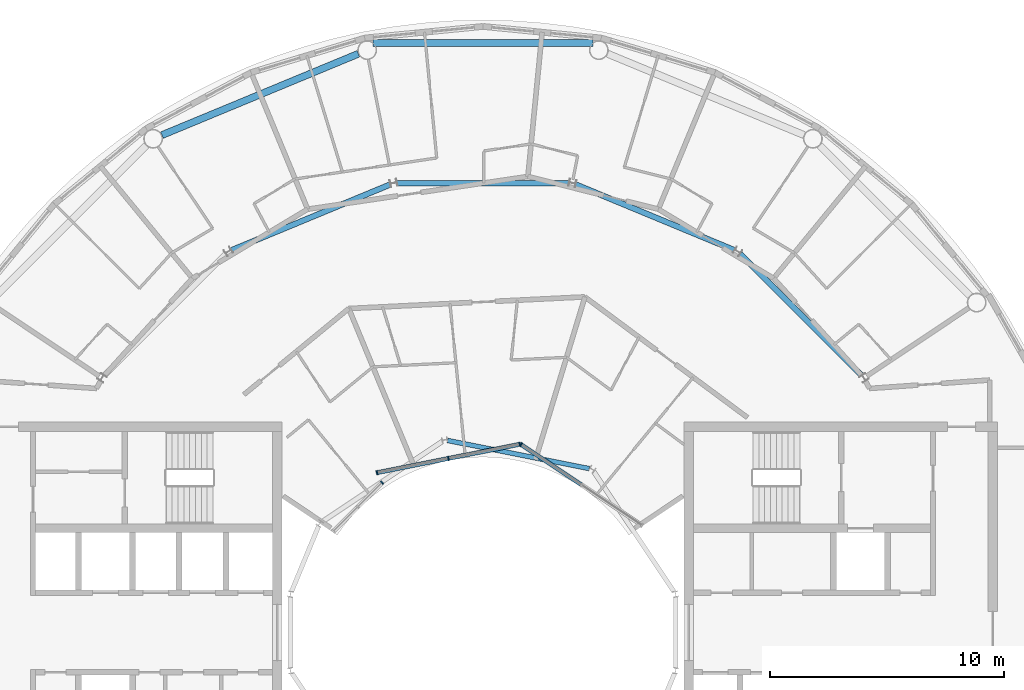
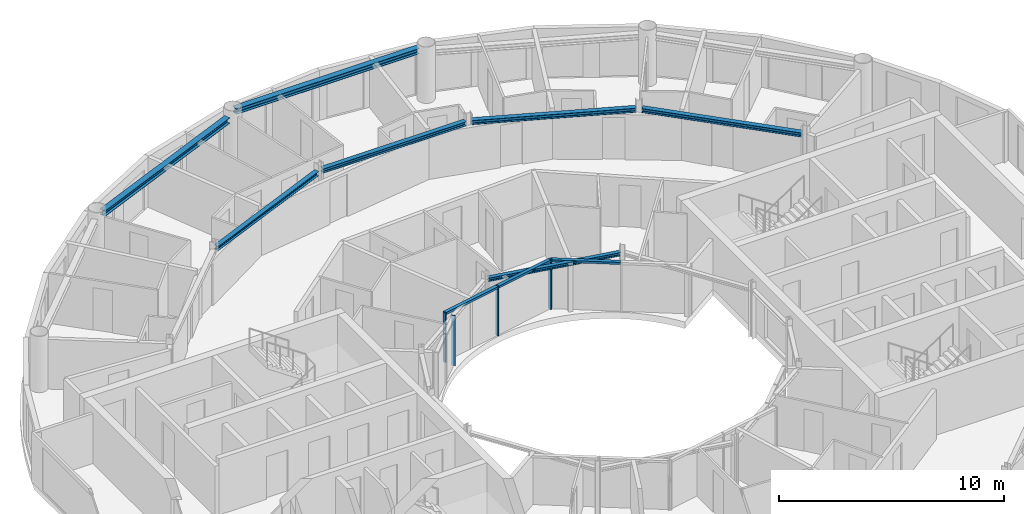
# One storey, part 9 of 22: 8 members, 7 beams, 3 elements without a shape of their own.
"""IFC4 building model written with IfcOpenShell, lengths in metres."""

from ifc_helpers import new_model, si_unit, direction, frame, origin, origin_2d, place, context, subcontext, project, spatial, rectangle, i_section, extrude, material, layer, layer_set, material_profile, profile_set, type_object, element, aggregate, save


model = new_model("IFC4")

# Units and contexts
model_context = context("Model", 3, precision=1e-05, world=origin(), true_north=direction((0.0, 1.0)))
body_context = subcontext(model_context, "Body", "Model", "MODEL_VIEW")
ifc_project = project(units=[si_unit("LENGTHUNIT", "METRE"), si_unit("AREAUNIT", "SQUARE_METRE"), si_unit("VOLUMEUNIT", "CUBIC_METRE"), si_unit("PLANEANGLEUNIT", "RADIAN"), si_unit("MASSUNIT", "GRAM", prefix="KILO")], contexts=[model_context])

# Site, building, storey
site_placement = place(None, origin())
site = spatial("IfcSite", under=ifc_project, at=site_placement, CompositionType="ELEMENT")
building_placement = place(site_placement, origin())
building = spatial("IfcBuilding", under=site, at=building_placement, Name="Maasbend Ring Residences", CompositionType="ELEMENT")
storey_placement = place(building_placement, frame((0.0, 0.0, 237.10009765625)))
storey = spatial("IfcBuildingStorey", under=building, at=storey_placement, Name="L68", CompositionType="ELEMENT", Elevation=237.10009765625)

# Curtain wall, member
ifc_material_1 = material(Name="Aluminium and clear glass", Category="aluminium")
ifc_layer = layer(ifc_material_1, 0.179931640625)
ifc_layer_set = layer_set([ifc_layer], Name="CW-W")
curtain_wall_type = type_object("IfcCurtainWallType", Name="CW-W", PredefinedType="NOTDEFINED", material=ifc_layer_set)
curtain_wall_1_placement = place(storey_placement, origin())
curtain_wall_1 = element("IfcCurtainWall", 1, at=curtain_wall_1_placement, inside=storey, type_object=curtain_wall_type, Name="Well curtain wall N1", PredefinedType="NOTDEFINED")
ifc_material_2 = material(Name="Aluminium 6063-T6", Category="aluminium")
ifc_material_profile_1 = material_profile(ifc_material_2, rectangle(XDim=0.179931640625, YDim=0.06005859375, at=origin_2d()), Name="AL 180x60")
ifc_profile_set_1 = profile_set([ifc_material_profile_1], Name="Aluminium 6063-T6")
member_type_1 = type_object("IfcMemberType", Name="CWM-W", PredefinedType="MULLION", material=ifc_profile_set_1)
member_1_placement = place(storey_placement, frame((1.627685546875, 8.040771484375, 0.0), z_axis=(0.0, 0.0, 1.0), x_axis=(-0.55557023302, -0.831469612303, 0.0)))
member_1 = element("IfcMember", 2, at=member_1_placement, type_object=member_type_1, Name="Mullion well face", PredefinedType="MULLION", context=body_context, shape_type="SweptSolid", body=[
    extrude(rectangle(XDim=0.179931640625, YDim=0.06005859375, at=origin_2d()), origin(), (0.0, 0.0, 1.0), 2.699951171875),
])

# Curtain wall, members
curtain_wall_2_placement = place(storey_placement, origin())
curtain_wall_2 = element("IfcCurtainWall", 3, at=curtain_wall_2_placement, inside=storey, type_object=curtain_wall_type, Name="Well curtain wall N2", PredefinedType="NOTDEFINED")
member_2_placement = place(storey_placement, frame((1.5732421875, 8.0517578125, 0.0), z_axis=(0.0, 0.0, 1.0), x_axis=(0.195090322016, -0.980785280403, 0.0)))
member_2 = element("IfcMember", 4, at=member_2_placement, type_object=member_type_1, Name="Mullion well face", PredefinedType="MULLION", context=body_context, shape_type="SweptSolid", body=[
    extrude(rectangle(XDim=0.179931640625, YDim=0.06005859375, at=origin_2d()), origin(), (0.0, 0.0, 1.0), 2.699951171875),
])
member_3_placement = place(storey_placement, frame((-1.480712890625, 7.444091796875, 0.0), z_axis=(0.0, 0.0, 1.0), x_axis=(0.195090322016, -0.980785280403, 0.0)))
member_3 = element("IfcMember", 5, at=member_3_placement, type_object=member_type_1, Name="Mullion well face", PredefinedType="MULLION", context=body_context, shape_type="SweptSolid", body=[
    extrude(rectangle(XDim=0.179931640625, YDim=0.06005859375, at=origin_2d()), origin(), (0.0, 0.0, 1.0), 2.699951171875),
])
member_4_placement = place(storey_placement, frame((-4.53466796875, 6.836669921875, 0.0), z_axis=(0.0, 0.0, 1.0), x_axis=(0.195090322016, -0.980785280403, 0.0)))
member_4 = element("IfcMember", 6, at=member_4_placement, type_object=member_type_1, Name="Mullion well face", PredefinedType="MULLION", context=body_context, shape_type="SweptSolid", body=[
    extrude(rectangle(XDim=0.179931640625, YDim=0.06005859375, at=origin_2d()), origin(), (0.0, 0.0, 1.0), 2.699951171875),
])

# Curtain wall, member
curtain_wall_3_placement = place(storey_placement, origin())
curtain_wall_3 = element("IfcCurtainWall", 7, at=curtain_wall_3_placement, inside=storey, type_object=curtain_wall_type, Name="Well curtain wall N3", PredefinedType="NOTDEFINED")
member_5_placement = place(storey_placement, frame((-4.320556640625, 6.413330078125, 0.0), z_axis=(0.0, 0.0, 1.0), x_axis=(0.707106781187, -0.707106781187, 0.0)))
member_5 = element("IfcMember", 8, at=member_5_placement, type_object=member_type_1, Name="Mullion well face", PredefinedType="MULLION", context=body_context, shape_type="SweptSolid", body=[
    extrude(rectangle(XDim=0.179931640625, YDim=0.06005859375, at=origin_2d()), origin(), (0.0, 0.0, 1.0), 2.699951171875),
])
aggregate(curtain_wall_3, [member_5])

# Member
ifc_material_3 = material(Name="Aluminium 6063-T6", Category="aluminium")
ifc_material_profile_2 = material_profile(ifc_material_3, rectangle(XDim=0.179931640625, YDim=0.1201171875, at=origin_2d()), Name="AL 180x120")
ifc_profile_set_2 = profile_set([ifc_material_profile_2], Name="Aluminium 6063-T6")
member_type_2 = type_object("IfcMemberType", Name="CWT-W", PredefinedType="USERDEFINED", material=ifc_profile_set_2)
member_6_placement = place(storey_placement, frame((4.19189453125, 6.32763671875, 2.639892578125), z_axis=(-0.831496422459, 0.555530106689, 0.0), x_axis=(-0.555530106689, -0.831496422459, 0.0)))
member_6 = element("IfcMember", 9, at=member_6_placement, type_object=member_type_2, Name="Transom well face", ObjectType="TRANSOM", PredefinedType="USERDEFINED", context=body_context, shape_type="SweptSolid", body=[
    extrude(rectangle(XDim=0.179931640625, YDim=0.1201171875, at=origin_2d()), origin(), (0.0, 0.0, 1.0), 3.053955078125),
])

aggregate(curtain_wall_1, [member_1, member_6])

member_7_placement = place(storey_placement, frame((1.5439453125, 8.0458984375, 2.639892578125), z_axis=(-0.980776956105, -0.195132166424, 0.0), x_axis=(0.195132166424, -0.980776956105, 0.0)))
member_7 = element("IfcMember", 10, at=member_7_placement, type_object=member_type_2, Name="Transom well face", ObjectType="TRANSOM", PredefinedType="USERDEFINED", context=body_context, shape_type="SweptSolid", body=[
    extrude(rectangle(XDim=0.179931640625, YDim=0.1201171875, at=origin_2d()), origin(), (0.0, 0.0, 1.0), 3.053955078125),
])

member_8_placement = place(storey_placement, frame((-1.51025390625, 7.438232421875, 2.639892578125), z_axis=(-0.980789210404, -0.19507056353, 0.0), x_axis=(0.19507056353, -0.980789210404, 0.0)))
member_8 = element("IfcMember", 11, at=member_8_placement, type_object=member_type_2, Name="Transom well face", ObjectType="TRANSOM", PredefinedType="USERDEFINED", context=body_context, shape_type="SweptSolid", body=[
    extrude(rectangle(XDim=0.179931640625, YDim=0.1201171875, at=origin_2d()), origin(), (0.0, 0.0, 1.0), 3.0537109375),
])

aggregate(curtain_wall_2, [member_2, member_3, member_4, member_7, member_8])

# Beams
ifc_material_4 = material(Name="Steel S355J2", Category="steel")
ifc_material_profile_3 = material_profile(ifc_material_4, i_section(OverallWidth=0.239990234375, OverallDepth=0.22998046875, WebThickness=0.007568359375, FlangeThickness=0.011962890625, FilletRadius=0.02099609375, at=origin_2d()), Name="HEA 240")
ifc_profile_set_3 = profile_set([ifc_material_profile_3], Name="Steel S355J2")
beam_type_1 = type_object("IfcBeamType", Name="Corridor ring beam HEA 240", PredefinedType="BEAM", material=ifc_profile_set_3)
beam_1_placement = place(storey_placement, frame((16.188720703125, 10.997314453125, 2.5849609375), z_axis=(-0.707106781187, 0.707106781187, 0.0), x_axis=(-0.707106781187, -0.707106781187, 0.0)))
element("IfcBeam", 12, at=beam_1_placement, inside=storey, type_object=beam_type_1, Name="Corridor ring beam", PredefinedType="BEAM", context=body_context, shape_type="SweptSolid", body=[
    extrude(i_section(OverallWidth=0.239990234375, OverallDepth=0.22998046875, WebThickness=0.007568359375, FlangeThickness=0.011962890625, FilletRadius=0.02099609375, at=origin_2d()), origin(), (0.0, 0.0, 1.0), 7.341796875),
])
beam_2_placement = place(storey_placement, frame((10.747802734375, 16.355224609375, 2.5849609375), z_axis=(-0.923875784142, 0.382692481603, 0.0), x_axis=(-0.382692481603, -0.923875784142, 0.0)))
element("IfcBeam", 13, at=beam_2_placement, inside=storey, type_object=beam_type_1, Name="Corridor ring beam", PredefinedType="BEAM", context=body_context, shape_type="SweptSolid", body=[
    extrude(i_section(OverallWidth=0.239990234375, OverallDepth=0.22998046875, WebThickness=0.007568359375, FlangeThickness=0.011962890625, FilletRadius=0.02099609375, at=origin_2d()), origin(), (0.0, 0.0, 1.0), 7.341552734375),
])
beam_3_placement = place(storey_placement, frame((3.6708984375, 19.223388671875, 2.5849609375), z_axis=(-1.0, 0.0, 0.0), x_axis=(0.0, -1.0, 0.0)))
element("IfcBeam", 14, at=beam_3_placement, inside=storey, type_object=beam_type_1, Name="Corridor ring beam", PredefinedType="BEAM", context=body_context, shape_type="SweptSolid", body=[
    extrude(i_section(OverallWidth=0.239990234375, OverallDepth=0.22998046875, WebThickness=0.007568359375, FlangeThickness=0.011962890625, FilletRadius=0.02099609375, at=origin_2d()), origin(), (0.0, 0.0, 1.0), 7.341796875),
])
beam_4_placement = place(storey_placement, frame((-3.965087890625, 19.164794921875, 2.5849609375), z_axis=(-0.923875784142, -0.382692481603, 0.0), x_axis=(0.382692481603, -0.923875784142, 0.0)))
element("IfcBeam", 15, at=beam_4_placement, inside=storey, type_object=beam_type_1, Name="Corridor ring beam", PredefinedType="BEAM", context=body_context, shape_type="SweptSolid", body=[
    extrude(i_section(OverallWidth=0.239990234375, OverallDepth=0.22998046875, WebThickness=0.007568359375, FlangeThickness=0.011962890625, FilletRadius=0.02099609375, at=origin_2d()), origin(), (0.0, 0.0, 1.0), 7.341552734375),
])
ifc_material_5 = material(Name="Steel S355J2", Category="steel")
ifc_material_profile_4 = material_profile(ifc_material_5, i_section(OverallWidth=0.300048828125, OverallDepth=0.300048828125, WebThickness=0.010986328125, FlangeThickness=0.01904296875, FilletRadius=0.027099609375, at=origin_2d()), Name="HEB 300")
ifc_profile_set_4 = profile_set([ifc_material_profile_4], Name="Steel S355J2")
beam_type_2 = type_object("IfcBeamType", Name="Spandrel ring beam HEB 300", PredefinedType="SPANDREL", material=ifc_profile_set_4)
beam_5_placement = place(storey_placement, frame((4.69873046875, 25.2119140625, 2.5498046875), z_axis=(-1.0, 0.0, 0.0), x_axis=(0.0, -1.0, 0.0)))
element("IfcBeam", 16, at=beam_5_placement, inside=storey, type_object=beam_type_2, Name="Spandrel ring beam", PredefinedType="SPANDREL", context=body_context, shape_type="SweptSolid", body=[
    extrude(i_section(OverallWidth=0.300048828125, OverallDepth=0.300048828125, WebThickness=0.010986328125, FlangeThickness=0.01904296875, FilletRadius=0.027099609375, at=origin_2d()), origin(), (0.0, 0.0, 1.0), 9.3974609375),
])
beam_6_placement = place(storey_placement, frame((-5.330810546875, 24.75634765625, 2.5498046875), z_axis=(-0.923880768897, -0.382680447453, 0.0), x_axis=(0.382680447453, -0.923880768897, 0.0)))
element("IfcBeam", 17, at=beam_6_placement, inside=storey, type_object=beam_type_2, Name="Spandrel ring beam", PredefinedType="SPANDREL", context=body_context, shape_type="SweptSolid", body=[
    extrude(i_section(OverallWidth=0.300048828125, OverallDepth=0.300048828125, WebThickness=0.010986328125, FlangeThickness=0.01904296875, FilletRadius=0.027099609375, at=origin_2d()), origin(), (0.0, 0.0, 1.0), 9.097412109375),
])
ifc_material_6 = material(Name="Steel S355J2", Category="steel")
ifc_material_profile_5 = material_profile(ifc_material_6, i_section(OverallWidth=0.199951171875, OverallDepth=0.18994140625, WebThickness=0.006591796875, FlangeThickness=0.010009765625, FilletRadius=0.01806640625, at=origin_2d()), Name="HEA 200")
ifc_profile_set_5 = profile_set([ifc_material_profile_5], Name="Steel S355J2")
beam_type_3 = type_object("IfcBeamType", Name="Well edge beam HEA 200", PredefinedType="BEAM", material=ifc_profile_set_5)
beam_7_placement = place(storey_placement, frame((4.544677734375, 7.008544921875, 2.60498046875), z_axis=(-0.98078072474, 0.195113223486, 0.0), x_axis=(-0.195113223486, -0.98078072474, 0.0)))
element("IfcBeam", 18, at=beam_7_placement, inside=storey, type_object=beam_type_3, Name="Well edge beam", PredefinedType="BEAM", context=body_context, shape_type="SweptSolid", body=[
    extrude(i_section(OverallWidth=0.199951171875, OverallDepth=0.18994140625, WebThickness=0.006591796875, FlangeThickness=0.010009765625, FilletRadius=0.01806640625, at=origin_2d()), origin(), (0.0, 0.0, 1.0), 6.18017578125),
])

save(model, "model.ifc")
